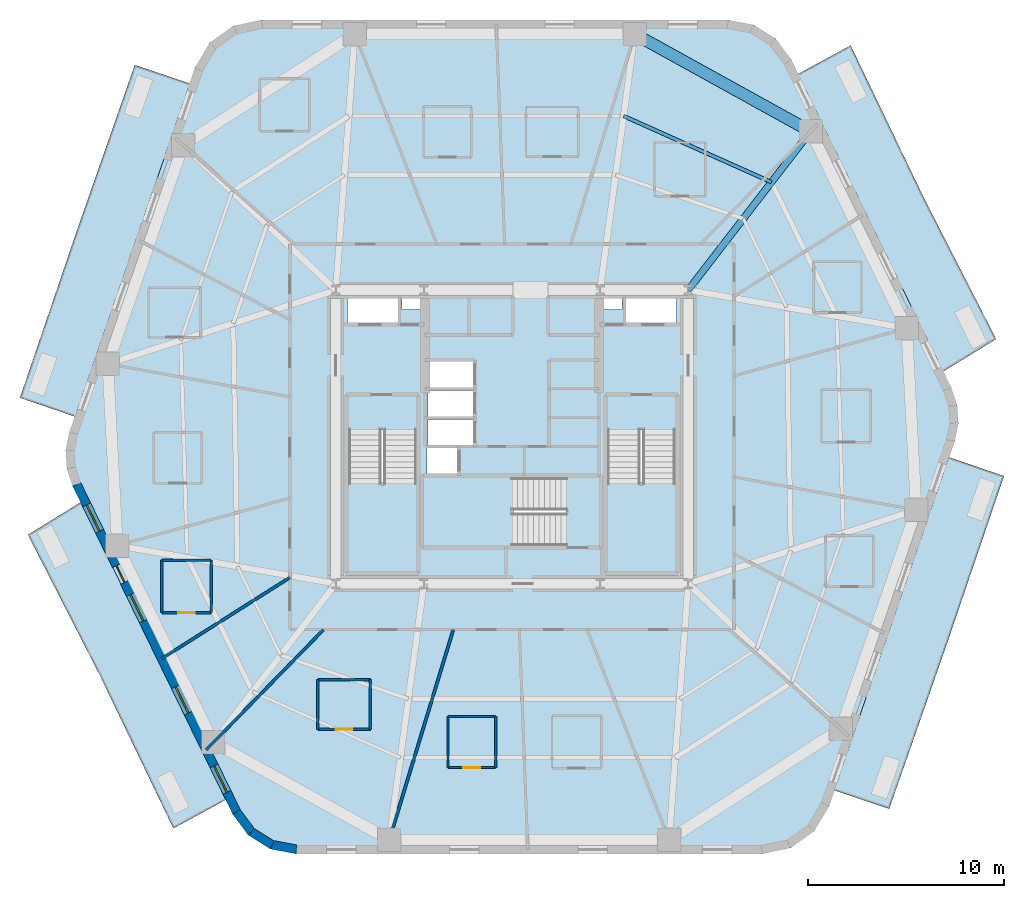
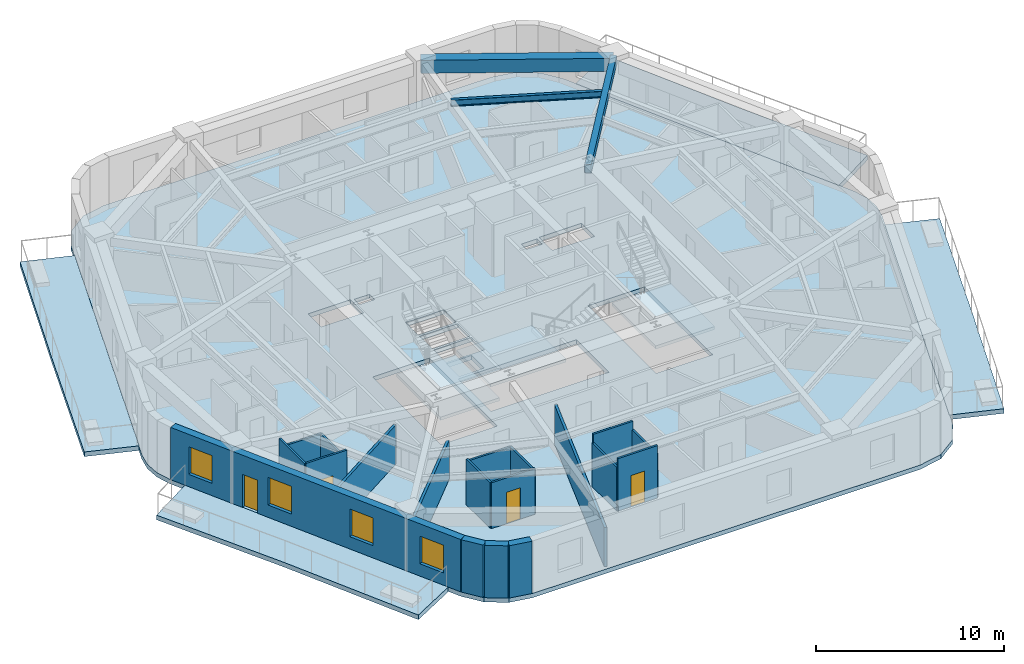
# One storey, part 2 of 10: 19 walls, 8 slabs, 4 doors, 4 windows, 3 beams, 8 openings, 3 elements without a shape of their own.
"""IFC4 building model written with IfcOpenShell, lengths in metres."""

from ifc_helpers import new_model, si_unit, direction, frame, frame_2d, origin, origin_2d, place, context, subcontext, project, spatial, polyline, rectangle, i_section, outline, extrude, material, layer, layer_set, material_profile, profile_set, type_object, element, fill, aggregate, save


model = new_model("IFC4")

# Units and contexts
model_context = context("Model", 3, precision=1e-05, world=origin(), true_north=direction((0.0, 1.0)))
body_context = subcontext(model_context, "Body", "Model", "MODEL_VIEW")
ifc_project = project(units=[si_unit("LENGTHUNIT", "METRE"), si_unit("AREAUNIT", "SQUARE_METRE"), si_unit("VOLUMEUNIT", "CUBIC_METRE"), si_unit("PLANEANGLEUNIT", "RADIAN"), si_unit("MASSUNIT", "GRAM", prefix="KILO")], contexts=[model_context])

# Site, building, storey
site_placement = place(None, origin())
site = spatial("IfcSite", under=ifc_project, at=site_placement, CompositionType="ELEMENT")
building_placement = place(site_placement, origin())
building = spatial("IfcBuilding", under=site, at=building_placement, Name="Kilnhurst Terrace Hotel", CompositionType="ELEMENT")
storey_placement = place(building_placement, frame((0.0, 0.0, 113.60009765625)))
storey = spatial("IfcBuildingStorey", under=building, at=storey_placement, Name="L27", CompositionType="ELEMENT", Elevation=113.60009765625)

# Beams
ifc_material_1 = material(Name="Concrete C50/60", Category="concrete")
ifc_material_profile_1 = material_profile(ifc_material_1, rectangle(XDim=0.35009765625, YDim=0.550048828125, at=origin_2d()), Name="RC350X550")
ifc_profile_set_1 = profile_set([ifc_material_profile_1], Name="Concrete C50/60")
beam_type_1 = type_object("IfcBeamType", Name="BM-RAD-350X550", PredefinedType="BEAM", material=ifc_profile_set_1)
beam_1_placement = place(storey_placement, frame((9.0, 7.5, 3.125), z_axis=(0.610904638371, 0.79170418896, 0.0), x_axis=(-0.79170418896, 0.610904638371, 0.0)))
element("IfcBeam", 1, at=beam_1_placement, inside=storey, type_object=beam_type_1, Name="L27 Radial Floor Beam 6", PredefinedType="BEAM", context=body_context, shape_type="SweptSolid", body=[
    extrude(rectangle(XDim=0.35009765625, YDim=0.550048828125, at=origin_2d()), origin(), (0.0, 0.0, 1.0), 10.242431640625),
])
ifc_material_profile_2 = material_profile(ifc_material_1, rectangle(XDim=0.60009765625, YDim=0.85009765625, at=origin_2d()), Name="RC600X850")
ifc_profile_set_2 = profile_set([ifc_material_profile_2], Name="Concrete C50/60")
beam_type_2 = type_object("IfcBeamType", Name="BM-SPN-600X850", PredefinedType="SPANDREL", material=ifc_profile_set_2)
beam_2_placement = place(storey_placement, frame((15.257080078125, 15.60888671875, 2.974853515625), z_axis=(-0.875094010429, 0.483952965598, 0.0), x_axis=(-0.483952965598, -0.875094010429, 0.0)))
element("IfcBeam", 2, at=beam_2_placement, inside=storey, type_object=beam_type_2, Name="L27 Perimeter Spandrel Beam 6", PredefinedType="SPANDREL", context=body_context, shape_type="SweptSolid", body=[
    extrude(rectangle(XDim=0.60009765625, YDim=0.85009765625, at=origin_2d()), origin(), (0.0, 0.0, 1.0), 10.27197265625),
])
ifc_material_2 = material(Name="Steel ASTM A992 Grade 50", Category="steel")
ifc_material_profile_3 = material_profile(ifc_material_2, i_section(OverallWidth=0.180908203125, OverallDepth=0.417236328125, WebThickness=0.010986328125, FlangeThickness=0.018310546875, at=origin_2d()), Name="W16X57")
ifc_profile_set_3 = profile_set([ifc_material_profile_3], Name="Steel ASTM A992 Grade 50")
beam_type_3 = type_object("IfcBeamType", Name="JST-STL-W16X57", PredefinedType="JOIST", material=ifc_profile_set_3)
beam_3_placement = place(storey_placement, frame((13.2548828125, 13.01416015625, 3.19091796875), z_axis=(-0.912760935806, 0.408494154262, 0.0), x_axis=(-0.408494154262, -0.912760935806, 0.0)))
element("IfcBeam", 3, at=beam_3_placement, inside=storey, type_object=beam_type_3, Name="L27 Secondary Floor Steel Joist OUT.6", PredefinedType="JOIST", context=body_context, shape_type="SweptSolid", body=[
    extrude(i_section(OverallWidth=0.180908203125, OverallDepth=0.417236328125, WebThickness=0.010986328125, FlangeThickness=0.018310546875, at=origin_2d()), origin(), (0.0, 0.0, 1.0), 8.274658203125),
])

# Slabs
ifc_layer_1 = layer(ifc_material_1, 0.300048828125, Name="Concrete C50/60")
ifc_layer_set_1 = layer_set([ifc_layer_1], Name="Concrete C50/60")
slab_type_1 = type_object("IfcSlabType", Name="SLB-BAL-300", PredefinedType="FLOOR", material=ifc_layer_set_1)
slab_1_placement = place(storey_placement, frame((0.0, 0.0, -0.300048828125)))
element("IfcSlab", 4, at=slab_1_placement, inside=storey, type_object=slab_type_1, Name="L27 Cantilevered Planted Terrace Slab BAL-L1A", PredefinedType="FLOOR", context=body_context, shape_type="SweptSolid", body=[
    extrude(outline(polyline([(22.233154296875, -10.52880859375), (19.273193359375, -19.0), (16.45751953125, -18.05615234375), (22.319091796875, -1.03466796875), (25.13623046875, -2.0), (22.233154296875, -10.52880859375)])), origin(), (0.0, 0.0, 1.0), 0.300048828125),
])
slab_2_placement = place(storey_placement, frame((0.0, 0.0, -0.300048828125)))
element("IfcSlab", 5, at=slab_2_placement, inside=storey, type_object=slab_type_1, Name="L27 Cantilevered Planted Terrace Slab BAL-L1B", PredefinedType="FLOOR", context=body_context, shape_type="SweptSolid", body=[
    extrude(outline(polyline([(24.734130859375, 5.0), (22.023193359375, 3.333740234375), (14.6083984375, 18.53564453125), (17.301513671875, 20.0), (21.044921875, 12.205810546875), (24.734130859375, 5.0)])), origin(), (0.0, 0.0, 1.0), 0.300048828125),
])
slab_3_placement = place(storey_placement, frame((0.0, 0.0, -0.300048828125)))
element("IfcSlab", 6, at=slab_3_placement, inside=storey, type_object=slab_type_1, Name="L27 Cantilevered Planted Terrace Slab BAL-L2A", PredefinedType="FLOOR", context=body_context, shape_type="SweptSolid", body=[
    extrude(outline(polyline([(-19.273193359375, 19.0), (-16.45751953125, 18.05615234375), (-22.319091796875, 1.03466796875), (-25.13623046875, 2.0), (-22.233154296875, 10.52880859375), (-19.273193359375, 19.0)])), origin(), (0.0, 0.0, 1.0), 0.300048828125),
])
slab_4_placement = place(storey_placement, frame((0.0, 0.0, -0.300048828125)))
element("IfcSlab", 7, at=slab_4_placement, inside=storey, type_object=slab_type_1, Name="L27 Cantilevered Planted Terrace Slab BAL-L2B", PredefinedType="FLOOR", context=body_context, shape_type="SweptSolid", body=[
    extrude(outline(polyline([(-24.734130859375, -5.0), (-22.023193359375, -3.333740234375), (-14.6083984375, -18.53564453125), (-17.301513671875, -20.0), (-21.044921875, -12.205810546875), (-24.734130859375, -5.0)])), origin(), (0.0, 0.0, 1.0), 0.300048828125),
])
ifc_layer_2 = layer(ifc_material_1, 0.280029296875, Name="Concrete C50/60")
ifc_layer_set_2 = layer_set([ifc_layer_2], Name="Concrete C50/60")
slab_type_2 = type_object("IfcSlabType", Name="SLB-FLR-280", PredefinedType="FLOOR", material=ifc_layer_set_2)
slab_5_placement = place(storey_placement, frame((0.0, 0.0, -0.280029296875)))
element("IfcSlab", 8, at=slab_5_placement, inside=storey, type_object=slab_type_2, Name="L27 Structural Floor Slab", PredefinedType="FLOOR", context=body_context, shape_type="SweptSolid", body=[
    extrude(outline(polyline([(-14.2685546875, -19.2783203125), (-13.472900390625, -20.34716796875), (-12.342529296875, -21.05322265625), (-11.032958984375, -21.300048828125), (12.793701171875, -21.300048828125), (14.23876953125, -20.997314453125), (15.44091796875, -20.139892578125), (16.197509765625, -18.872314453125), (22.614501953125, -0.238525390625), (22.8017578125, 0.6826171875), (22.744384765625, 1.62060546875), (22.4462890625, 2.51171875), (14.2685546875, 19.2783203125), (13.472900390625, 20.34716796875), (12.342529296875, 21.05322265625), (11.032958984375, 21.300048828125), (-12.793701171875, 21.300048828125), (-14.23876953125, 20.997314453125), (-15.44091796875, 20.139892578125), (-16.197509765625, 18.872314453125), (-22.614501953125, 0.238525390625), (-22.8017578125, -0.6826171875), (-22.744384765625, -1.62060546875), (-22.4462890625, -2.51171875), (-14.2685546875, -19.2783203125)]), holes=[polyline([(-8.35009765625, 0.35498046875), (-4.8798828125, 0.35498046875), (-4.8798828125, -6.89990234375), (-8.35009765625, -6.89990234375), (-8.35009765625, 0.35498046875)]), polyline([(-2.800048828125, -1.89990234375), (-4.35009765625, -1.89990234375), (-4.35009765625, -0.550048828125), (-2.800048828125, -0.550048828125), (-2.800048828125, -1.89990234375)]), polyline([(-1.949951171875, -0.429931640625), (-4.300048828125, -0.429931640625), (-4.300048828125, 0.89990234375), (-1.949951171875, 0.89990234375), (-1.949951171875, -0.429931640625)]), polyline([(-4.300048828125, 1.050048828125), (-4.300048828125, 2.3798828125), (-1.949951171875, 2.3798828125), (-1.949951171875, 1.050048828125), (-4.300048828125, 1.050048828125)]), polyline([(-8.39990234375, 5.75), (-8.39990234375, 7.14990234375), (-5.800048828125, 7.14990234375), (-5.800048828125, 5.75), (-8.39990234375, 5.75)]), polyline([(-4.659912109375, 6.52001953125), (-5.6201171875, 6.52001953125), (-5.6201171875, 7.080078125), (-4.659912109375, 7.080078125), (-4.659912109375, 6.52001953125)]), polyline([(2.7548828125, -5.550048828125), (-4.5, -5.550048828125), (-4.5, -2.080078125), (2.7548828125, -2.080078125), (2.7548828125, -5.550048828125)]), polyline([(8.35009765625, 0.35498046875), (8.35009765625, -6.89990234375), (4.8798828125, -6.89990234375), (4.8798828125, 0.35498046875), (8.35009765625, 0.35498046875)]), polyline([(-1.949951171875, 2.530029296875), (-4.300048828125, 2.530029296875), (-4.300048828125, 3.860107421875), (-1.949951171875, 3.860107421875), (-1.949951171875, 2.530029296875)]), polyline([(5.800048828125, 5.75), (5.800048828125, 7.14990234375), (8.39990234375, 7.14990234375), (8.39990234375, 5.75), (5.800048828125, 5.75)]), polyline([(4.659912109375, 6.52001953125), (4.659912109375, 7.080078125), (5.6201171875, 7.080078125), (5.6201171875, 6.52001953125), (4.659912109375, 6.52001953125)])]), origin(), (0.0, 0.0, 1.0), 0.280029296875),
])

# Stair, slab
stair_type = type_object("IfcStairType", Name="STR-CORE-1660", PredefinedType="HALF_TURN_STAIR", material=ifc_material_1)
stair_1_placement = place(storey_placement, origin())
stair_1 = element("IfcStair", 9, at=stair_1_placement, inside=storey, type_object=stair_type, Name="L27 ST-1", PredefinedType="HALF_TURN_STAIR")
ifc_layer_3 = layer(ifc_material_1, 0.199951171875, Name="Concrete C50/60")
ifc_layer_set_3 = layer_set([ifc_layer_3], Name="Concrete C50/60")
slab_type_3 = type_object("IfcSlabType", Name="SLB-ST-LND-200", PredefinedType="LANDING", material=ifc_layer_set_3)
slab_6_placement = place(storey_placement, frame((0.0, 0.0, 1.64990234375)))
slab_6 = element("IfcSlab", 10, at=slab_6_placement, type_object=slab_type_3, Name="ST-1 landing 1", PredefinedType="LANDING", context=body_context, shape_type="SweptSolid", body=[
    extrude(outline(polyline([(-8.429931640625, -2.330078125), (-4.800048828125, -2.330078125), (-4.800048828125, -6.97998046875), (-8.429931640625, -6.97998046875), (-8.429931640625, -2.330078125)])), origin(), (0.0, 0.0, 1.0), 0.199951171875),
])
aggregate(stair_1, [slab_6])

stair_2_placement = place(storey_placement, origin())
stair_2 = element("IfcStair", 11, at=stair_2_placement, inside=storey, type_object=stair_type, Name="L27 ST-2", PredefinedType="HALF_TURN_STAIR")
slab_7_placement = place(storey_placement, frame((0.0, 0.0, 1.64990234375)))
slab_7 = element("IfcSlab", 12, at=slab_7_placement, type_object=slab_type_3, Name="ST-2 landing 1", PredefinedType="LANDING", context=body_context, shape_type="SweptSolid", body=[
    extrude(outline(polyline([(4.800048828125, -2.330078125), (8.429931640625, -2.330078125), (8.429931640625, -6.97998046875), (4.800048828125, -6.97998046875), (4.800048828125, -2.330078125)])), origin(), (0.0, 0.0, 1.0), 0.199951171875),
])
aggregate(stair_2, [slab_7])

stair_3_placement = place(storey_placement, origin())
stair_3 = element("IfcStair", 13, at=stair_3_placement, inside=storey, type_object=stair_type, Name="L27 ST-3", PredefinedType="HALF_TURN_STAIR")
slab_8_placement = place(storey_placement, frame((0.0, 0.0, 1.64990234375)))
slab_8 = element("IfcSlab", 14, at=slab_8_placement, type_object=slab_type_3, Name="ST-3 landing 1", PredefinedType="LANDING", context=body_context, shape_type="SweptSolid", body=[
    extrude(outline(polyline([(0.070068359375, -2.0), (0.070068359375, -5.6298828125), (-4.580078125, -5.6298828125), (-4.580078125, -2.0), (0.070068359375, -2.0)])), origin(), (0.0, 0.0, 1.0), 0.199951171875),
])
aggregate(stair_3, [slab_8])

# Walls
ifc_material_3 = material(Name="Precast concrete C40/50", Category="concrete")
ifc_layer_4 = layer(ifc_material_3, 0.449951171875, Name="Precast concrete C40/50")
ifc_layer_set_4 = layer_set([ifc_layer_4], Name="Precast concrete C40/50")
wall_type_1 = type_object("IfcWallType", Name="WL-BRK-450", PredefinedType="SOLIDWALL", material=ifc_layer_set_4)
wall_1_placement = place(storey_placement, frame((-14.07568359375, -19.16064453125, 0.0), z_axis=(0.0, 0.0, 1.0), x_axis=(0.597226657159, -0.802072515412, 0.0)))
element("IfcWall", 15, at=wall_1_placement, inside=storey, type_object=wall_type_1, Name="L27 Rounded Corner Brick Wall C1.1", PredefinedType="SOLIDWALL", context=body_context, shape_type="SweptSolid", body=[
    extrude(rectangle(XDim=1.269287109375, YDim=0.449951171875, at=frame_2d((0.634765625, 0.0))), origin(), (0.0, 0.0, 1.0), 3.39990234375),
])
wall_2_placement = place(storey_placement, frame((-13.317626953125, -20.1787109375, 0.0), z_axis=(0.0, 0.0, 1.0), x_axis=(0.848031272749, -0.529946186362, 0.0)))
element("IfcWall", 16, at=wall_2_placement, inside=storey, type_object=wall_type_1, Name="L27 Rounded Corner Brick Wall C1.2", PredefinedType="SOLIDWALL", context=body_context, shape_type="SweptSolid", body=[
    extrude(rectangle(XDim=1.248046875, YDim=0.449951171875, at=frame_2d((0.6240234375, 0.0))), origin(), (0.0, 0.0, 1.0), 3.39990234375),
])
wall_3_placement = place(storey_placement, frame((-12.25927734375, -20.840087890625, 0.0), z_axis=(0.0, 0.0, 1.0), x_axis=(0.982730354425, -0.185043374624, 0.0)))
element("IfcWall", 17, at=wall_3_placement, inside=storey, type_object=wall_type_1, Name="L27 Rounded Corner Brick Wall C1.3", PredefinedType="SOLIDWALL", context=body_context, shape_type="SweptSolid", body=[
    extrude(rectangle(XDim=1.269287109375, YDim=0.449951171875, at=frame_2d((0.634765625, 0.0))), origin(), (0.0, 0.0, 1.0), 3.39990234375),
])

# Wall, openings, door, windows
wall_4_placement = place(storey_placement, frame((-22.237548828125, -2.426513671875, 0.0), z_axis=(0.0, 0.0, 1.0), x_axis=(0.438374803278, -0.898792262901, 0.0)))
wall_4 = element("IfcWall", 18, at=wall_4_placement, inside=storey, type_object=wall_type_1, Name="L27 Exterior Brick Facade Wall F6", PredefinedType="SOLIDWALL", context=body_context, shape_type="SweptSolid", body=[
    extrude(rectangle(XDim=18.618408203125, YDim=0.449951171875, at=frame_2d((9.30908203125, 0.0))), origin(), (0.0, 0.0, 1.0), 3.39990234375),
])
opening_1_placement = place(wall_4_placement, frame((4.6201171875, 0.0, 0.0)))
opening_1 = element("IfcOpeningElement", 19, at=opening_1_placement, cuts=wall_4, Name="Opening BD-950", PredefinedType="OPENING", context=body_context, shape_type="SweptSolid", body=[
    extrude(rectangle(XDim=0.949951171875, YDim=2.14990234375, at=frame_2d((0.47509765625, 1.074951171875))), frame((0.0, 0.23486328125, 0.0), z_axis=(0.0, -1.0, 0.0), x_axis=(1.0, 0.0, 0.0)), (0.0, 0.0, 1.0), 0.469970703125),
])
opening_2_placement = place(wall_4_placement, frame((1.1630859375, 0.0, 0.800048828125)))
opening_2 = element("IfcOpeningElement", 20, at=opening_2_placement, cuts=wall_4, Name="Opening W-02", PredefinedType="OPENING", context=body_context, shape_type="SweptSolid", body=[
    extrude(rectangle(XDim=1.5, YDim=1.800048828125, at=frame_2d((0.75, 0.89990234375))), frame((0.0, 0.23486328125, 0.0), z_axis=(0.0, -1.0, 0.0), x_axis=(1.0, 0.0, 0.0)), (0.0, 0.0, 1.0), 0.469970703125),
])
opening_3_placement = place(wall_4_placement, frame((6.261962890625, 0.0, 0.800048828125)))
opening_3 = element("IfcOpeningElement", 21, at=opening_3_placement, cuts=wall_4, Name="Opening W-02", PredefinedType="OPENING", context=body_context, shape_type="SweptSolid", body=[
    extrude(rectangle(XDim=1.5, YDim=1.800048828125, at=frame_2d((0.75, 0.89990234375))), frame((0.0, 0.23486328125, 0.0), z_axis=(0.0, -1.0, 0.0), x_axis=(1.0, 0.0, 0.0)), (0.0, 0.0, 1.0), 0.469970703125),
])
opening_4_placement = place(wall_4_placement, frame((11.5009765625, 0.0, 0.800048828125)))
opening_4 = element("IfcOpeningElement", 22, at=opening_4_placement, cuts=wall_4, Name="Opening W-02", PredefinedType="OPENING", context=body_context, shape_type="SweptSolid", body=[
    extrude(rectangle(XDim=1.5, YDim=1.800048828125, at=frame_2d((0.75, 0.89990234375))), frame((0.0, 0.23486328125, 0.0), z_axis=(0.0, -1.0, 0.0), x_axis=(1.0, 0.0, 0.0)), (0.0, 0.0, 1.0), 0.469970703125),
])
opening_5_placement = place(wall_4_placement, frame((16.006103515625, 0.0, 0.800048828125)))
opening_5 = element("IfcOpeningElement", 23, at=opening_5_placement, cuts=wall_4, Name="Opening W-02", PredefinedType="OPENING", context=body_context, shape_type="SweptSolid", body=[
    extrude(rectangle(XDim=1.5, YDim=1.800048828125, at=frame_2d((0.75, 0.89990234375))), frame((0.0, 0.23486328125, 0.0), z_axis=(0.0, -1.0, 0.0), x_axis=(1.0, 0.0, 0.0)), (0.0, 0.0, 1.0), 0.469970703125),
])
ifc_material_4 = material(Name="Thermally Broken Bronze Aluminium Alloy 6063-T6 and Laminated Glass", Category="aluminium")
door_type_1 = type_object("IfcDoorType", Name="DR-EXT-BAL-950", OperationType="NOTDEFINED", PredefinedType="DOOR", material=ifc_material_4)
door_1_placement = place(opening_1_placement, origin())
door_1 = element("IfcDoor", 24, at=door_1_placement, inside=storey, type_object=door_type_1, Name="L27 Planted Balcony Door BAL-L2B", OperationType="SINGLE_SWING_RIGHT", OverallHeight=2.14990234375, OverallWidth=0.949951171875, PredefinedType="DOOR", context=body_context, shape_type="SweptSolid", body=[
    extrude(rectangle(XDim=0.949951171875, YDim=2.14990234375, at=frame_2d((0.47509765625, 1.074951171875))), frame((0.0, 0.02490234375, 0.0), z_axis=(0.0, -1.0, 0.0), x_axis=(1.0, 0.0, 0.0)), (0.0, 0.0, 1.0), 0.050048828125),
])
fill(opening_1, door_1)
ifc_material_5 = material(Name="Thermally Broken Bronze Aluminium Alloy 6063-T6 and Low-E Glass", Category="aluminium")
window_type = type_object("IfcWindowType", Name="WIN-1500X1800", PartitioningType="SINGLE_PANEL", PredefinedType="WINDOW", material=ifc_material_5)
window_1_placement = place(opening_2_placement, origin())
window_1 = element("IfcWindow", 25, at=window_1_placement, inside=storey, type_object=window_type, Name="L27 Deep-Set Masonry Window F6.1", OverallHeight=1.800048828125, OverallWidth=1.5, PartitioningType="SINGLE_PANEL", PredefinedType="WINDOW", context=body_context, shape_type="SweptSolid", body=[
    extrude(rectangle(XDim=1.5, YDim=1.800048828125, at=frame_2d((0.75, 0.89990234375))), frame((0.0, 0.030029296875, 0.0), z_axis=(0.0, -1.0, 0.0), x_axis=(1.0, 0.0, 0.0)), (0.0, 0.0, 1.0), 0.06005859375),
])
fill(opening_2, window_1)
window_2_placement = place(opening_3_placement, origin())
window_2 = element("IfcWindow", 26, at=window_2_placement, inside=storey, type_object=window_type, Name="L27 Deep-Set Masonry Window F6.2", OverallHeight=1.800048828125, OverallWidth=1.5, PartitioningType="SINGLE_PANEL", PredefinedType="WINDOW", context=body_context, shape_type="SweptSolid", body=[
    extrude(rectangle(XDim=1.5, YDim=1.800048828125, at=frame_2d((0.75, 0.89990234375))), frame((0.0, 0.030029296875, 0.0), z_axis=(0.0, -1.0, 0.0), x_axis=(1.0, 0.0, 0.0)), (0.0, 0.0, 1.0), 0.06005859375),
])
fill(opening_3, window_2)
window_3_placement = place(opening_4_placement, origin())
window_3 = element("IfcWindow", 27, at=window_3_placement, inside=storey, type_object=window_type, Name="L27 Deep-Set Masonry Window F6.3", OverallHeight=1.800048828125, OverallWidth=1.5, PartitioningType="SINGLE_PANEL", PredefinedType="WINDOW", context=body_context, shape_type="SweptSolid", body=[
    extrude(rectangle(XDim=1.5, YDim=1.800048828125, at=frame_2d((0.75, 0.89990234375))), frame((0.0, 0.030029296875, 0.0), z_axis=(0.0, -1.0, 0.0), x_axis=(1.0, 0.0, 0.0)), (0.0, 0.0, 1.0), 0.06005859375),
])
fill(opening_4, window_3)
window_4_placement = place(opening_5_placement, origin())
window_4 = element("IfcWindow", 28, at=window_4_placement, inside=storey, type_object=window_type, Name="L27 Deep-Set Masonry Window F6.4", OverallHeight=1.800048828125, OverallWidth=1.5, PartitioningType="SINGLE_PANEL", PredefinedType="WINDOW", context=body_context, shape_type="SweptSolid", body=[
    extrude(rectangle(XDim=1.5, YDim=1.800048828125, at=frame_2d((0.75, 0.89990234375))), frame((0.0, 0.030029296875, 0.0), z_axis=(0.0, -1.0, 0.0), x_axis=(1.0, 0.0, 0.0)), (0.0, 0.0, 1.0), 0.06005859375),
])
fill(opening_5, window_4)

# Walls
ifc_material_6 = material(Name="STC-58 Acoustic Twin-Frame Guestroom Demising Partition")
ifc_layer_5 = layer(ifc_material_6, 0.14990234375, Name="STC-58 Acoustic Twin-Frame Guestroom Demising Partition")
ifc_layer_set_5 = layer_set([ifc_layer_5], Name="STC-58 Acoustic Twin-Frame Guestroom Demising Partition")
wall_type_2 = type_object("IfcWallType", Name="WL-DEM-150", PredefinedType="PARTITIONING", material=ifc_layer_set_5)
wall_5_placement = place(storey_placement, frame((-11.35009765625, -7.185302734375, 0.0), z_axis=(0.0, 0.0, 1.0), x_axis=(-0.844928274737, -0.534879622485, 0.0)))
element("IfcWall", 29, at=wall_5_placement, inside=storey, type_object=wall_type_2, Name="L27 Interior Wall WL-L27-DEM-MID07-11-1", PredefinedType="PARTITIONING", context=body_context, shape_type="SweptSolid", body=[
    extrude(rectangle(XDim=7.746826171875, YDim=0.14990234375, at=frame_2d((3.87353515625, 0.0))), origin(), (0.0, 0.0, 1.0), 2.539794921875),
])
wall_6_placement = place(storey_placement, frame((-9.6279296875, -9.85009765625, 0.0), z_axis=(0.0, 0.0, 1.0), x_axis=(-0.698992824326, -0.715128681805, 0.0)))
element("IfcWall", 30, at=wall_6_placement, inside=storey, type_object=wall_type_2, Name="L27 Interior Wall WL-L27-DEM-COL08-12-1", PredefinedType="PARTITIONING", context=body_context, shape_type="SweptSolid", body=[
    extrude(rectangle(XDim=8.578857421875, YDim=0.14990234375, at=frame_2d((4.28955078125, 0.0))), origin(), (0.0, 0.0, 1.0), 2.539794921875),
])
wall_7_placement = place(storey_placement, frame((-3.0, -9.85009765625, 0.0), z_axis=(0.0, 0.0, 1.0), x_axis=(-0.291352035382, -0.95661590593, 0.0)))
element("IfcWall", 31, at=wall_7_placement, inside=storey, type_object=wall_type_2, Name="L27 Interior Wall WL-L27-DEM-COL09-13-1", PredefinedType="PARTITIONING", context=body_context, shape_type="SweptSolid", body=[
    extrude(rectangle(XDim=11.73388671875, YDim=0.14990234375, at=frame_2d((5.866943359375, 0.0))), origin(), (0.0, 0.0, 1.0), 2.539794921875),
])

# Wall, opening, door
ifc_material_7 = material(Name="120 mm Moisture-Resistant Tile-Backed Bathroom Partition")
ifc_layer_6 = layer(ifc_material_7, 0.1201171875, Name="120 mm Moisture-Resistant Tile-Backed Bathroom Partition")
ifc_layer_set_6 = layer_set([ifc_layer_6], Name="120 mm Moisture-Resistant Tile-Backed Bathroom Partition")
wall_type_3 = type_object("IfcWallType", Name="WL-PART-120", PredefinedType="PARTITIONING", material=ifc_layer_set_6)
wall_8_placement = place(storey_placement, frame((-17.89404296875, -8.97998046875, 0.0), z_axis=(0.0, 0.0, 1.0), x_axis=(1.0, 0.0, 0.0)))
wall_8 = element("IfcWall", 32, at=wall_8_placement, inside=storey, type_object=wall_type_3, Name="L27 Interior Wall WL-L27-BTH-10-1", PredefinedType="PARTITIONING", context=body_context, shape_type="SweptSolid", body=[
    extrude(rectangle(XDim=2.52001953125, YDim=0.1201171875, at=frame_2d((1.260009765625, 0.0))), origin(), (0.0, 0.0, 1.0), 3.39990234375),
])
opening_6_placement = place(wall_8_placement, frame((0.8349609375, 0.0, 0.0)))
opening_6 = element("IfcOpeningElement", 33, at=opening_6_placement, cuts=wall_8, Name="Opening D-08A", PredefinedType="OPENING", context=body_context, shape_type="SweptSolid", body=[
    extrude(rectangle(XDim=0.85009765625, YDim=2.030029296875, at=frame_2d((0.425048828125, 1.01513671875))), frame((0.0, 0.070068359375, 0.0), z_axis=(0.0, -1.0, 0.0), x_axis=(1.0, 0.0, 0.0)), (0.0, 0.0, 1.0), 0.14013671875),
])
ifc_material_8 = material(Name="Moisture-Resistant Lacquered En-suite Bathroom Door")
door_type_2 = type_object("IfcDoorType", Name="DR-INT-850", OperationType="NOTDEFINED", PredefinedType="DOOR", material=ifc_material_8)
door_2_placement = place(opening_6_placement, origin())
door_2 = element("IfcDoor", 34, at=door_2_placement, inside=storey, type_object=door_type_2, Name="L27 En-suite Bathroom Door 10", OperationType="SINGLE_SWING_LEFT", OverallHeight=2.030029296875, OverallWidth=0.85009765625, PredefinedType="DOOR", context=body_context, shape_type="SweptSolid", body=[
    extrude(rectangle(XDim=0.85009765625, YDim=2.030029296875, at=frame_2d((0.425048828125, 1.01513671875))), frame((0.0, 0.02490234375, 0.0), z_axis=(0.0, -1.0, 0.0), x_axis=(1.0, 0.0, 0.0)), (0.0, 0.0, 1.0), 0.050048828125),
])
fill(opening_6, door_2)

# Walls
wall_9_placement = place(storey_placement, frame((-15.3740234375, -8.97998046875, 0.0), z_axis=(0.0, 0.0, 1.0), x_axis=(0.0, 1.0, 0.0)))
element("IfcWall", 35, at=wall_9_placement, inside=storey, type_object=wall_type_3, Name="L27 Interior Wall WL-L27-BTH-10-2", PredefinedType="PARTITIONING", context=body_context, shape_type="SweptSolid", body=[
    extrude(rectangle(XDim=2.679931640625, YDim=0.1201171875, at=frame_2d((1.33984375, 0.0))), origin(), (0.0, 0.0, 1.0), 2.83984375),
])
wall_10_placement = place(storey_placement, frame((-15.3740234375, -6.300048828125, 0.0), z_axis=(0.0, 0.0, 1.0), x_axis=(-1.0, 0.0, 0.0)))
element("IfcWall", 36, at=wall_10_placement, inside=storey, type_object=wall_type_3, Name="L27 Interior Wall WL-L27-BTH-10-3", PredefinedType="PARTITIONING", context=body_context, shape_type="SweptSolid", body=[
    extrude(rectangle(XDim=2.52001953125, YDim=0.1201171875, at=frame_2d((1.260009765625, 0.0))), origin(), (0.0, 0.0, 1.0), 2.83984375),
])
wall_11_placement = place(storey_placement, frame((-17.89404296875, -6.300048828125, 0.0), z_axis=(0.0, 0.0, 1.0), x_axis=(0.0, -1.0, 0.0)))
element("IfcWall", 37, at=wall_11_placement, inside=storey, type_object=wall_type_3, Name="L27 Interior Wall WL-L27-BTH-10-4", PredefinedType="PARTITIONING", context=body_context, shape_type="SweptSolid", body=[
    extrude(rectangle(XDim=2.679931640625, YDim=0.1201171875, at=frame_2d((1.33984375, 0.0))), origin(), (0.0, 0.0, 1.0), 3.39990234375),
])

# Wall, opening, door
wall_12_placement = place(storey_placement, frame((-9.9169921875, -14.93994140625, 0.0), z_axis=(0.0, 0.0, 1.0), x_axis=(1.0, 0.0, 0.0)))
wall_12 = element("IfcWall", 38, at=wall_12_placement, inside=storey, type_object=wall_type_3, Name="L27 Interior Wall WL-L27-BTH-12-1", PredefinedType="PARTITIONING", context=body_context, shape_type="SweptSolid", body=[
    extrude(rectangle(XDim=2.679931640625, YDim=0.1201171875, at=frame_2d((1.33984375, 0.0))), origin(), (0.0, 0.0, 1.0), 2.97216796875),
])
opening_7_placement = place(wall_12_placement, frame((0.9150390625, 0.0, 0.0)))
opening_7 = element("IfcOpeningElement", 39, at=opening_7_placement, cuts=wall_12, Name="Opening D-08A", PredefinedType="OPENING", context=body_context, shape_type="SweptSolid", body=[
    extrude(rectangle(XDim=0.85009765625, YDim=2.030029296875, at=frame_2d((0.425048828125, 1.01513671875))), frame((0.0, 0.070068359375, 0.0), z_axis=(0.0, -1.0, 0.0), x_axis=(1.0, 0.0, 0.0)), (0.0, 0.0, 1.0), 0.14013671875),
])
door_3_placement = place(opening_7_placement, origin())
door_3 = element("IfcDoor", 40, at=door_3_placement, inside=storey, type_object=door_type_2, Name="L27 En-suite Bathroom Door 12", OperationType="SINGLE_SWING_LEFT", OverallHeight=2.030029296875, OverallWidth=0.85009765625, PredefinedType="DOOR", context=body_context, shape_type="SweptSolid", body=[
    extrude(rectangle(XDim=0.85009765625, YDim=2.030029296875, at=frame_2d((0.425048828125, 1.01513671875))), frame((0.0, 0.02490234375, 0.0), z_axis=(0.0, -1.0, 0.0), x_axis=(1.0, 0.0, 0.0)), (0.0, 0.0, 1.0), 0.050048828125),
])
fill(opening_7, door_3)

# Walls
wall_13_placement = place(storey_placement, frame((-7.237060546875, -14.93994140625, 0.0), z_axis=(0.0, 0.0, 1.0), x_axis=(0.0, 1.0, 0.0)))
element("IfcWall", 41, at=wall_13_placement, inside=storey, type_object=wall_type_3, Name="L27 Interior Wall WL-L27-BTH-12-2", PredefinedType="PARTITIONING", context=body_context, shape_type="SweptSolid", body=[
    extrude(rectangle(XDim=2.5400390625, YDim=0.1201171875, at=frame_2d((1.27001953125, 0.0))), origin(), (0.0, 0.0, 1.0), 2.84033203125),
])
wall_14_placement = place(storey_placement, frame((-7.237060546875, -12.39990234375, 0.0), z_axis=(0.0, 0.0, 1.0), x_axis=(-1.0, 0.0, 0.0)))
element("IfcWall", 42, at=wall_14_placement, inside=storey, type_object=wall_type_3, Name="L27 Interior Wall WL-L27-BTH-12-3", PredefinedType="PARTITIONING", context=body_context, shape_type="SweptSolid", body=[
    extrude(rectangle(XDim=2.679931640625, YDim=0.1201171875, at=frame_2d((1.33984375, 0.0))), origin(), (0.0, 0.0, 1.0), 2.84033203125),
])
wall_15_placement = place(storey_placement, frame((-9.9169921875, -12.39990234375, 0.0), z_axis=(0.0, 0.0, 1.0), x_axis=(0.0, -1.0, 0.0)))
element("IfcWall", 43, at=wall_15_placement, inside=storey, type_object=wall_type_3, Name="L27 Interior Wall WL-L27-BTH-12-4", PredefinedType="PARTITIONING", context=body_context, shape_type="SweptSolid", body=[
    extrude(rectangle(XDim=2.5400390625, YDim=0.1201171875, at=frame_2d((1.27001953125, 0.0))), origin(), (0.0, 0.0, 1.0), 2.97216796875),
])

# Wall, opening, door
wall_16_placement = place(storey_placement, frame((-3.27294921875, -16.89208984375, 0.0), z_axis=(0.0, 0.0, 1.0), x_axis=(1.0, 0.0, 0.0)))
wall_16 = element("IfcWall", 44, at=wall_16_placement, inside=storey, type_object=wall_type_3, Name="L27 Interior Wall WL-L27-BTH-13-1", PredefinedType="PARTITIONING", context=body_context, shape_type="SweptSolid", body=[
    extrude(rectangle(XDim=2.43994140625, YDim=0.1201171875, at=frame_2d((1.219970703125, 0.0))), origin(), (0.0, 0.0, 1.0), 3.39990234375),
])
opening_8_placement = place(wall_16_placement, frame((0.794921875, 0.0, 0.0)))
opening_8 = element("IfcOpeningElement", 45, at=opening_8_placement, cuts=wall_16, Name="Opening D-08A", PredefinedType="OPENING", context=body_context, shape_type="SweptSolid", body=[
    extrude(rectangle(XDim=0.85009765625, YDim=2.030029296875, at=frame_2d((0.425048828125, 1.01513671875))), frame((0.0, 0.070068359375, 0.0), z_axis=(0.0, -1.0, 0.0), x_axis=(1.0, 0.0, 0.0)), (0.0, 0.0, 1.0), 0.14013671875),
])
door_4_placement = place(opening_8_placement, origin())
door_4 = element("IfcDoor", 46, at=door_4_placement, inside=storey, type_object=door_type_2, Name="L27 En-suite Bathroom Door 13", OperationType="SINGLE_SWING_RIGHT", OverallHeight=2.030029296875, OverallWidth=0.85009765625, PredefinedType="DOOR", context=body_context, shape_type="SweptSolid", body=[
    extrude(rectangle(XDim=0.85009765625, YDim=2.030029296875, at=frame_2d((0.425048828125, 1.01513671875))), frame((0.0, 0.02490234375, 0.0), z_axis=(0.0, -1.0, 0.0), x_axis=(1.0, 0.0, 0.0)), (0.0, 0.0, 1.0), 0.050048828125),
])
fill(opening_8, door_4)

# Walls
wall_17_placement = place(storey_placement, frame((-0.8330078125, -16.89208984375, 0.0), z_axis=(0.0, 0.0, 1.0), x_axis=(0.0, 1.0, 0.0)))
element("IfcWall", 47, at=wall_17_placement, inside=storey, type_object=wall_type_3, Name="L27 Interior Wall WL-L27-BTH-13-2", PredefinedType="PARTITIONING", context=body_context, shape_type="SweptSolid", body=[
    extrude(rectangle(XDim=2.610107421875, YDim=0.1201171875, at=frame_2d((1.30517578125, 0.0))), origin(), (0.0, 0.0, 1.0), 2.84033203125),
])
wall_18_placement = place(storey_placement, frame((-0.8330078125, -14.281982421875, 0.0), z_axis=(0.0, 0.0, 1.0), x_axis=(-1.0, 0.0, 0.0)))
element("IfcWall", 48, at=wall_18_placement, inside=storey, type_object=wall_type_3, Name="L27 Interior Wall WL-L27-BTH-13-3", PredefinedType="PARTITIONING", context=body_context, shape_type="SweptSolid", body=[
    extrude(rectangle(XDim=2.43994140625, YDim=0.1201171875, at=frame_2d((1.219970703125, 0.0))), origin(), (0.0, 0.0, 1.0), 3.39990234375),
])
wall_19_placement = place(storey_placement, frame((-3.27294921875, -14.281982421875, 0.0), z_axis=(0.0, 0.0, 1.0), x_axis=(0.0, -1.0, 0.0)))
element("IfcWall", 49, at=wall_19_placement, inside=storey, type_object=wall_type_3, Name="L27 Interior Wall WL-L27-BTH-13-4", PredefinedType="PARTITIONING", context=body_context, shape_type="SweptSolid", body=[
    extrude(rectangle(XDim=2.610107421875, YDim=0.1201171875, at=frame_2d((1.30517578125, 0.0))), origin(), (0.0, 0.0, 1.0), 2.84033203125),
])

save(model, "model.ifc")
